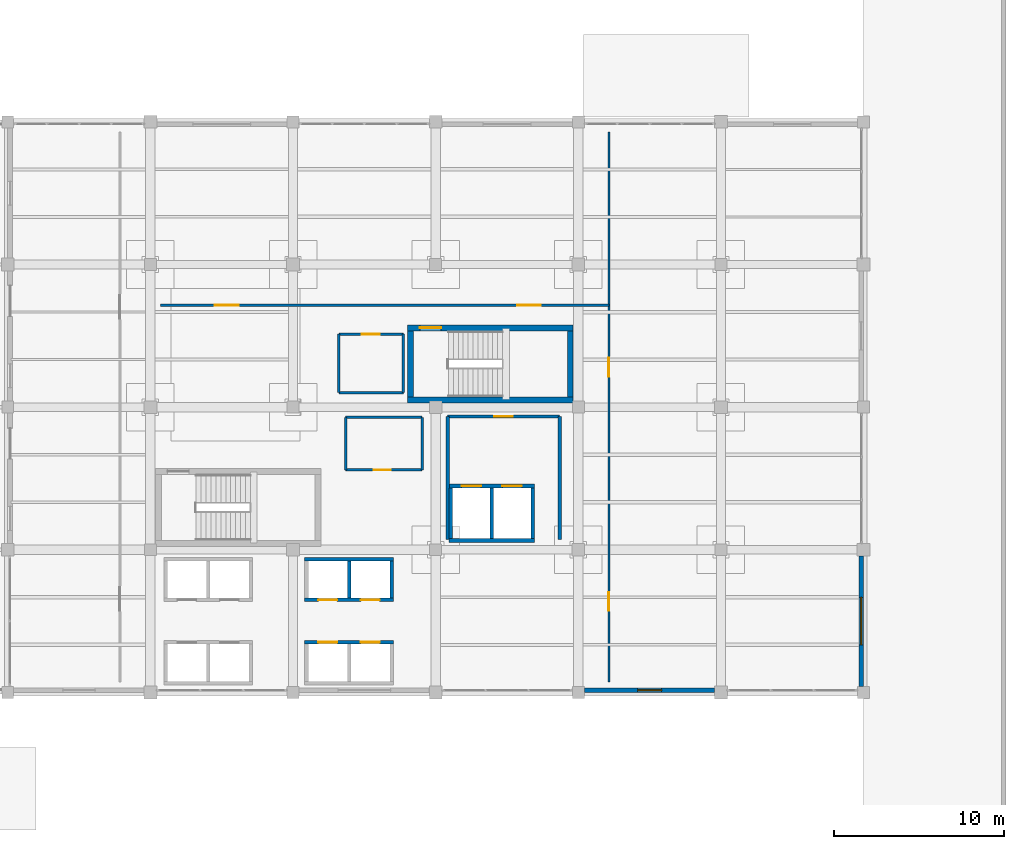
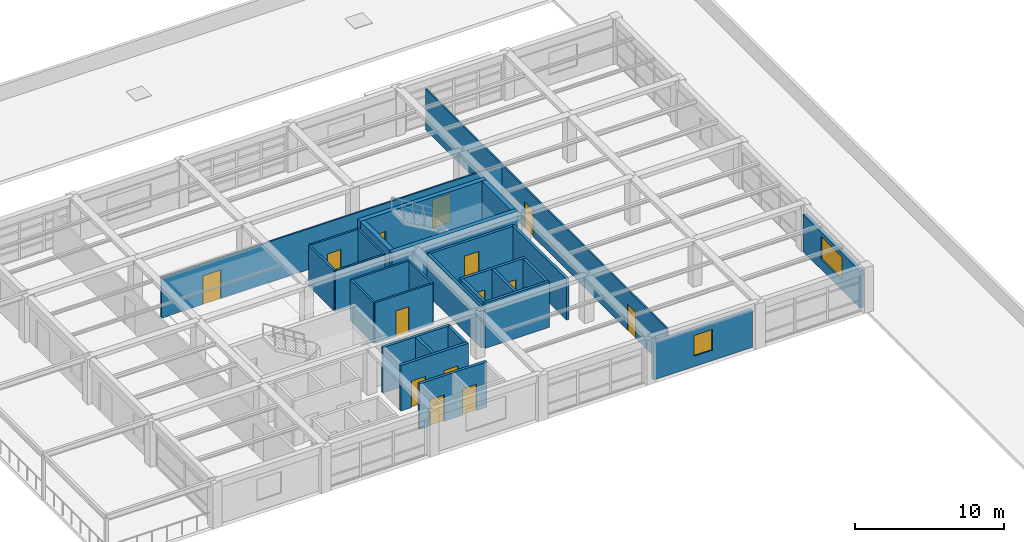
# One storey, part 33 of 35: 29 walls, 14 doors, 2 windows, 16 openings.
"""IFC4 building model written with IfcOpenShell, lengths in metres."""

from ifc_helpers import new_model, si_unit, direction, frame, frame_2d, origin, place, context, subcontext, project, spatial, rectangle, extrude, material, layer, layer_set, type_object, element, fill, save


model = new_model("IFC4")

# Units and contexts
model_context = context("Model", 3, precision=1e-05, world=origin(), true_north=direction((0.0, 1.0)))
body_context = subcontext(model_context, "Body", "Model", "MODEL_VIEW")
ifc_project = project(units=[si_unit("LENGTHUNIT", "METRE"), si_unit("AREAUNIT", "SQUARE_METRE"), si_unit("VOLUMEUNIT", "CUBIC_METRE"), si_unit("PLANEANGLEUNIT", "RADIAN"), si_unit("MASSUNIT", "GRAM", prefix="KILO")], contexts=[model_context])

# Site, building, storey
site_placement = place(None, origin())
site = spatial("IfcSite", under=ifc_project, at=site_placement, CompositionType="ELEMENT")
building_placement = place(site_placement, origin())
building = spatial("IfcBuilding", under=site, at=building_placement, Name="Almacenes y Pasaje Nevantli", CompositionType="ELEMENT")
storey_placement = place(building_placement, frame((0.0, 0.0, 26.699951171875)))
storey = spatial("IfcBuildingStorey", under=building, at=storey_placement, Name="L06", CompositionType="ELEMENT", Elevation=26.699951171875)

# Wall, opening, door
ifc_material_1 = material(Name="Fire-Rated Concrete Blockwork", Category="masonry")
ifc_layer_1 = layer(ifc_material_1, 0.199951171875)
ifc_layer_set_1 = layer_set([ifc_layer_1], Name="Fire-Rated Concrete Blockwork")
wall_type_1 = type_object("IfcWallType", Name="WL-COMP-200", PredefinedType="PARTITIONING", material=ifc_layer_set_1)
wall_1_placement = place(storey_placement, frame((135.10009765625, 83.449951171875, 0.0), z_axis=(0.0, 0.0, 1.0), x_axis=(1.0, 0.0, 0.0)))
wall_1 = element("IfcWall", 1, at=wall_1_placement, inside=storey, type_object=wall_type_1, Name="L06 Interior Partition Wall IW-200 #113", PredefinedType="PARTITIONING", context=body_context, shape_type="SweptSolid", body=[
    extrude(rectangle(XDim=6.599853515625, YDim=0.199951171875, at=frame_2d((3.2998046875, 0.0))), origin(), (0.0, 0.0, 1.0), 3.340087890625),
])
opening_1_placement = place(wall_1_placement, frame((2.75, 0.0, 0.0)))
opening_1 = element("IfcOpeningElement", 2, at=opening_1_placement, cuts=wall_1, Name="Opening ID-L06-061", PredefinedType="OPENING", context=body_context, shape_type="SweptSolid", body=[
    extrude(rectangle(XDim=1.10009765625, YDim=2.199951171875, at=frame_2d((0.550048828125, 1.10009765625))), frame((0.0, 0.10986328125, 0.0), z_axis=(0.0, -1.0, 0.0), x_axis=(1.0, 0.0, 0.0)), (0.0, 0.0, 1.0), 0.219970703125),
])
ifc_material_2 = material(Name="Galvanized Fire-Rated Steel", Category="steel")
door_type_1 = type_object("IfcDoorType", Name="DR-FD90-1100R", OperationType="SINGLE_SWING_RIGHT", PredefinedType="DOOR", material=ifc_material_2)
door_1_placement = place(opening_1_placement, origin())
door_1 = element("IfcDoor", 3, at=door_1_placement, inside=storey, type_object=door_type_1, Name="L06 Firefighting Lobby Door", OperationType="SINGLE_SWING_RIGHT", OverallHeight=2.199951171875, OverallWidth=1.10009765625, PredefinedType="DOOR", context=body_context, shape_type="SweptSolid", body=[
    extrude(rectangle(XDim=1.10009765625, YDim=2.199951171875, at=frame_2d((0.550048828125, 1.10009765625))), frame((0.0, 0.02490234375, 0.0), z_axis=(0.0, -1.0, 0.0), x_axis=(1.0, 0.0, 0.0)), (0.0, 0.0, 1.0), 0.050048828125),
])
fill(opening_1, door_1)

# Walls
for number, where, z_axis, x_axis, name in (
    (4, (135.10009765625, 76.199951171875, 0.0), (0.0, 0.0, 1.0), (0.0, 1.0, 0.0), "L06 Interior Partition Wall IW-200 #114"),
    (5, (141.699951171875, 76.199951171875, 0.0), (0.0, 0.0, 1.0), (0.0, 1.0, 0.0), "L06 Interior Partition Wall IW-200 #115"),
):
    element("IfcWall", number, at=place(storey_placement, frame(where, z_axis=z_axis, x_axis=x_axis)), inside=storey, type_object=wall_type_1, Name=name, PredefinedType="PARTITIONING", context=body_context, shape_type="SweptSolid", body=[
        extrude(rectangle(XDim=7.25, YDim=0.199951171875, at=frame_2d((3.625, 0.0))), origin(), (0.0, 0.0, 1.0), 3.340087890625),
    ])
ifc_material_3 = material(Name="Concrete C45/55", Category="concrete")
ifc_layer_2 = layer(ifc_material_3, 0.35009765625)
ifc_layer_set_2 = layer_set([ifc_layer_2], Name="Concrete C45/55")
wall_type_2 = type_object("IfcWallType", Name="WL-CORE-350", PredefinedType="SHEAR", material=ifc_layer_set_2)
wall_2_placement = place(storey_placement, frame((132.75, 84.425048828125, 0.0), z_axis=(0.0, 0.0, 1.0), x_axis=(1.0, 0.0, 0.0)))
element("IfcWall", 6, at=wall_2_placement, inside=storey, type_object=wall_type_2, Name="L06 Exit Stair ST-02 South Core Shear Wall", PredefinedType="SHEAR", context=body_context, shape_type="SweptSolid", body=[
    extrude(rectangle(XDim=9.75, YDim=0.35009765625, at=frame_2d((4.875, 0.0))), origin(), (0.0, 0.0, 1.0), 3.719970703125),
])

# Wall, opening, door
wall_3_placement = place(storey_placement, frame((132.75, 88.6650390625, 0.0), z_axis=(0.0, 0.0, 1.0), x_axis=(1.0, 0.0, 0.0)))
wall_3 = element("IfcWall", 7, at=wall_3_placement, inside=storey, type_object=wall_type_2, Name="L06 Exit Stair ST-02 North Core Shear Wall", PredefinedType="SHEAR", context=body_context, shape_type="SweptSolid", body=[
    extrude(rectangle(XDim=9.75, YDim=0.35009765625, at=frame_2d((4.875, 0.0))), origin(), (0.0, 0.0, 1.0), 3.719970703125),
])
opening_2_placement = place(wall_3_placement, frame((0.719970703125, 0.0, 0.0)))
opening_2 = element("IfcOpeningElement", 8, at=opening_2_placement, cuts=wall_3, Name="Opening SD-02-L06", PredefinedType="OPENING", context=body_context, shape_type="SweptSolid", body=[
    extrude(rectangle(XDim=1.25, YDim=2.199951171875, at=frame_2d((0.625, 1.10009765625))), frame((0.0, 0.18505859375, 0.0), z_axis=(0.0, -1.0, 0.0), x_axis=(1.0, 0.0, 0.0)), (0.0, 0.0, 1.0), 0.3701171875),
])
ifc_material_4 = material(Name="Galvanized Fire-Rated Steel", Category="steel")
door_type_2 = type_object("IfcDoorType", Name="DR-STAIR-1250R", OperationType="SINGLE_SWING_RIGHT", PredefinedType="DOOR", material=ifc_material_4)
door_2_placement = place(opening_2_placement, origin())
door_2 = element("IfcDoor", 9, at=door_2_placement, inside=storey, type_object=door_type_2, Name="L06 Smokeproof Exit Stair ST-02 Fire Door", OperationType="SINGLE_SWING_RIGHT", OverallHeight=2.199951171875, OverallWidth=1.25, PredefinedType="DOOR", context=body_context, shape_type="SweptSolid", body=[
    extrude(rectangle(XDim=1.25, YDim=2.199951171875, at=frame_2d((0.625, 1.10009765625))), frame((0.0, 0.02490234375, 0.0), z_axis=(0.0, -1.0, 0.0), x_axis=(1.0, 0.0, 0.0)), (0.0, 0.0, 1.0), 0.050048828125),
])
fill(opening_2, door_2)

# Walls
for number, where, z_axis, x_axis, name in (
    (10, (132.925048828125, 84.60009765625, 0.0), (0.0, 0.0, 1.0), (0.0, 1.0, 0.0), "L06 Exit Stair ST-02 West Core Shear Wall"),
    (11, (142.324951171875, 84.60009765625, 0.0), (0.0, 0.0, 1.0), (0.0, 1.0, 0.0), "L06 Exit Stair ST-02 East Core Shear Wall"),
):
    element("IfcWall", number, at=place(storey_placement, frame(where, z_axis=z_axis, x_axis=x_axis)), inside=storey, type_object=wall_type_2, Name=name, PredefinedType="SHEAR", context=body_context, shape_type="SweptSolid", body=[
        extrude(rectangle(XDim=3.889892578125, YDim=0.35009765625, at=frame_2d((1.94482421875, 0.0))), origin(), (0.0, 0.0, 1.0), 3.719970703125),
    ])

# Wall, opening, window
ifc_material_5 = material(Name="Cream Architectural Precast Concrete C35/45 Wall", Category="concrete")
ifc_layer_3 = layer(ifc_material_5, 0.260009765625)
ifc_layer_set_3 = layer_set([ifc_layer_3], Name="Cream Architectural Precast Concrete C35/45 Wall")
wall_type_3 = type_object("IfcWallType", Name="WL-EXT-PRECAST-260", PredefinedType="SOLIDWALL", material=ifc_layer_set_3)
wall_4_placement = place(storey_placement, frame((143.154052734375, 67.340087890625, 0.0), z_axis=(0.0, 0.0, 1.0), x_axis=(1.0, 0.0, 0.0)))
wall_4 = element("IfcWall", 12, at=wall_4_placement, inside=storey, type_object=wall_type_3, Name="L06 Tower South Precast Spandrel Wall Bay 18", PredefinedType="SOLIDWALL", context=body_context, shape_type="SweptSolid", body=[
    extrude(rectangle(XDim=7.66796875, YDim=0.260009765625, at=frame_2d((3.833984375, 0.0))), origin(), (0.0, 0.0, 1.0), 3.0400390625),
])
opening_3_placement = place(wall_4_placement, frame((3.14599609375, 0.0, 0.85009765625)))
opening_3 = element("IfcOpeningElement", 13, at=opening_3_placement, cuts=wall_4, Name="Opening WT-34-195", PredefinedType="OPENING", context=body_context, shape_type="SweptSolid", body=[
    extrude(rectangle(XDim=1.39990234375, YDim=1.699951171875, at=frame_2d((0.699951171875, 0.85009765625))), frame((0.0, 0.139892578125, 0.0), z_axis=(0.0, -1.0, 0.0), x_axis=(1.0, 0.0, 0.0)), (0.0, 0.0, 1.0), 0.280029296875),
])
ifc_material_6 = material(Name="Thermally Broken Aluminium and Low-E Double Glazing", Category="aluminium")
window_type_1 = type_object("IfcWindowType", Name="WN-TWR-1400x1700", PartitioningType="SINGLE_PANEL", PredefinedType="WINDOW", material=ifc_material_6)
window_1_placement = place(opening_3_placement, origin())
window_1 = element("IfcWindow", 14, at=window_1_placement, inside=storey, type_object=window_type_1, Name="L06 Exterior Window WT-34 #195", OverallHeight=1.699951171875, OverallWidth=1.39990234375, PartitioningType="SINGLE_PANEL", PredefinedType="WINDOW", context=body_context, shape_type="SweptSolid", body=[
    extrude(rectangle(XDim=1.39990234375, YDim=1.699951171875, at=frame_2d((0.699951171875, 0.85009765625))), frame((0.0, 0.030029296875, 0.0), z_axis=(0.0, -1.0, 0.0), x_axis=(1.0, 0.0, 0.0)), (0.0, 0.0, 1.0), 0.06005859375),
])
fill(opening_3, window_1)

wall_5_placement = place(storey_placement, frame((159.4599609375, 67.553955078125, 0.0), z_axis=(0.0, 0.0, 1.0), x_axis=(0.0, 1.0, 0.0)))
wall_5 = element("IfcWall", 15, at=wall_5_placement, inside=storey, type_object=wall_type_3, Name="L06 Tower East Precast Wall Bay 9", PredefinedType="SOLIDWALL", context=body_context, shape_type="SweptSolid", body=[
    extrude(rectangle(XDim=7.66796875, YDim=0.260009765625, at=frame_2d((3.833984375, 0.0))), origin(), (0.0, 0.0, 1.0), 3.0400390625),
])
opening_4_placement = place(wall_5_placement, frame((2.446044921875, 0.0, 0.85009765625)))
opening_4 = element("IfcOpeningElement", 16, at=opening_4_placement, cuts=wall_5, Name="Opening WT-29-197", PredefinedType="OPENING", context=body_context, shape_type="SweptSolid", body=[
    extrude(rectangle(XDim=2.800048828125, YDim=1.85009765625, at=frame_2d((1.39990234375, 0.925048828125))), frame((0.0, 0.139892578125, 0.0), z_axis=(0.0, -1.0, 0.0), x_axis=(1.0, 0.0, 0.0)), (0.0, 0.0, 1.0), 0.280029296875),
])
ifc_material_7 = material(Name="Thermally Broken Aluminium and Low-E Double Glazing", Category="aluminium")
window_type_2 = type_object("IfcWindowType", Name="WN-TWR-2800x1850", PartitioningType="SINGLE_PANEL", PredefinedType="WINDOW", material=ifc_material_7)
window_2_placement = place(opening_4_placement, origin())
window_2 = element("IfcWindow", 17, at=window_2_placement, inside=storey, type_object=window_type_2, Name="L06 Exterior Window WT-29 #197", OverallHeight=1.85009765625, OverallWidth=2.800048828125, PartitioningType="SINGLE_PANEL", PredefinedType="WINDOW", context=body_context, shape_type="SweptSolid", body=[
    extrude(rectangle(XDim=2.800048828125, YDim=1.85009765625, at=frame_2d((1.39990234375, 0.925048828125))), frame((0.0, 0.030029296875, 0.0), z_axis=(0.0, -1.0, 0.0), x_axis=(1.0, 0.0, 0.0)), (0.0, 0.0, 1.0), 0.06005859375),
])
fill(opening_4, window_2)

# Wall, openings, doors
ifc_material_8 = material(Name="Standard Steel-Stud Gypsum Partition", Category="steel")
ifc_layer_4 = layer(ifc_material_8, 0.1201171875)
ifc_layer_set_4 = layer_set([ifc_layer_4], Name="Standard Steel-Stud Gypsum Partition")
wall_type_4 = type_object("IfcWallType", Name="WL-PART-120", PredefinedType="PARTITIONING", material=ifc_layer_set_4)
wall_6_placement = place(storey_placement, frame((144.60009765625, 67.800048828125, 0.0), z_axis=(0.0, 0.0, 1.0), x_axis=(0.0, 1.0, 0.0)))
wall_6 = element("IfcWall", 18, at=wall_6_placement, inside=storey, type_object=wall_type_4, Name="L06 Interior Partition Wall IW-120 #125", PredefinedType="PARTITIONING", context=body_context, shape_type="SweptSolid", body=[
    extrude(rectangle(XDim=32.39990234375, YDim=0.1201171875, at=frame_2d((16.199951171875, 0.0))), origin(), (0.0, 0.0, 1.0), 3.340087890625),
])
opening_5_placement = place(wall_6_placement, frame((4.199951171875, 0.0, 0.0)))
opening_5 = element("IfcOpeningElement", 19, at=opening_5_placement, cuts=wall_6, Name="Opening ID-L06-066", PredefinedType="OPENING", context=body_context, shape_type="SweptSolid", body=[
    extrude(rectangle(XDim=1.10009765625, YDim=2.14990234375, at=frame_2d((0.550048828125, 1.074951171875))), frame((0.0, 0.070068359375, 0.0), z_axis=(0.0, -1.0, 0.0), x_axis=(1.0, 0.0, 0.0)), (0.0, 0.0, 1.0), 0.14013671875),
])
opening_6_placement = place(wall_6_placement, frame((18.0, 0.0, 0.0)))
opening_6 = element("IfcOpeningElement", 20, at=opening_6_placement, cuts=wall_6, Name="Opening ID-L06-067", PredefinedType="OPENING", context=body_context, shape_type="SweptSolid", body=[
    extrude(rectangle(XDim=1.10009765625, YDim=2.14990234375, at=frame_2d((0.550048828125, 1.074951171875))), frame((0.0, 0.070068359375, 0.0), z_axis=(0.0, -1.0, 0.0), x_axis=(1.0, 0.0, 0.0)), (0.0, 0.0, 1.0), 0.14013671875),
])
ifc_material_9 = material(Name="Powder-Coated Hollow Metal", Category="steel")
door_type_3 = type_object("IfcDoorType", Name="DR-INT-1100", OperationType="SINGLE_SWING_LEFT", PredefinedType="DOOR", material=ifc_material_9)
door_3_placement = place(opening_5_placement, origin())
door_3 = element("IfcDoor", 21, at=door_3_placement, inside=storey, type_object=door_type_3, Name="L06 L06 East Studio South Door", OperationType="SINGLE_SWING_LEFT", OverallHeight=2.14990234375, OverallWidth=1.10009765625, PredefinedType="DOOR", context=body_context, shape_type="SweptSolid", body=[
    extrude(rectangle(XDim=1.10009765625, YDim=2.14990234375, at=frame_2d((0.550048828125, 1.074951171875))), frame((0.0, 0.02490234375, 0.0), z_axis=(0.0, -1.0, 0.0), x_axis=(1.0, 0.0, 0.0)), (0.0, 0.0, 1.0), 0.050048828125),
])
fill(opening_5, door_3)
ifc_material_10 = material(Name="Powder-Coated Hollow Metal", Category="steel")
door_type_4 = type_object("IfcDoorType", Name="DR-INT-1100R", OperationType="SINGLE_SWING_RIGHT", PredefinedType="DOOR", material=ifc_material_10)
door_4_placement = place(opening_6_placement, origin())
door_4 = element("IfcDoor", 22, at=door_4_placement, inside=storey, type_object=door_type_4, Name="L06 L06 East Studio North Door", OperationType="SINGLE_SWING_RIGHT", OverallHeight=2.14990234375, OverallWidth=1.10009765625, PredefinedType="DOOR", context=body_context, shape_type="SweptSolid", body=[
    extrude(rectangle(XDim=1.10009765625, YDim=2.14990234375, at=frame_2d((0.550048828125, 1.074951171875))), frame((0.0, 0.02490234375, 0.0), z_axis=(0.0, -1.0, 0.0), x_axis=(1.0, 0.0, 0.0)), (0.0, 0.0, 1.0), 0.050048828125),
])
fill(opening_6, door_4)

wall_7_placement = place(storey_placement, frame((118.199951171875, 90.0, 0.0), z_axis=(0.0, 0.0, 1.0), x_axis=(1.0, 0.0, 0.0)))
wall_7 = element("IfcWall", 23, at=wall_7_placement, inside=storey, type_object=wall_type_4, Name="L06 Interior Partition Wall IW-120 #126", PredefinedType="PARTITIONING", context=body_context, shape_type="SweptSolid", body=[
    extrude(rectangle(XDim=26.400146484375, YDim=0.1201171875, at=frame_2d((13.2001953125, 0.0))), origin(), (0.0, 0.0, 1.0), 3.340087890625),
])
opening_7_placement = place(wall_7_placement, frame((3.199951171875, 0.0, 0.0)))
opening_7 = element("IfcOpeningElement", 24, at=opening_7_placement, cuts=wall_7, Name="Opening ID-L06-068", PredefinedType="OPENING", context=body_context, shape_type="SweptSolid", body=[
    extrude(rectangle(XDim=1.39990234375, YDim=2.35009765625, at=frame_2d((0.699951171875, 1.175048828125))), frame((0.0, 0.070068359375, 0.0), z_axis=(0.0, -1.0, 0.0), x_axis=(1.0, 0.0, 0.0)), (0.0, 0.0, 1.0), 0.14013671875),
])
opening_8_placement = place(wall_7_placement, frame((21.0, 0.0, 0.0)))
opening_8 = element("IfcOpeningElement", 25, at=opening_8_placement, cuts=wall_7, Name="Opening ID-L06-069", PredefinedType="OPENING", context=body_context, shape_type="SweptSolid", body=[
    extrude(rectangle(XDim=1.39990234375, YDim=2.35009765625, at=frame_2d((0.699951171875, 1.175048828125))), frame((0.0, 0.070068359375, 0.0), z_axis=(0.0, -1.0, 0.0), x_axis=(1.0, 0.0, 0.0)), (0.0, 0.0, 1.0), 0.14013671875),
])
ifc_material_11 = material(Name="Framed Tempered Safety Glass", Category="glass")
door_type_5 = type_object("IfcDoorType", Name="DR-GLZ-1400", OperationType="DOUBLE_DOOR_SINGLE_SWING", PredefinedType="DOOR", material=ifc_material_11)
door_5_placement = place(opening_7_placement, origin())
door_5 = element("IfcDoor", 26, at=door_5_placement, inside=storey, type_object=door_type_5, Name="L06 L06 North Open Plan West Door", OperationType="DOUBLE_DOOR_SINGLE_SWING", OverallHeight=2.35009765625, OverallWidth=1.39990234375, PredefinedType="DOOR", context=body_context, shape_type="SweptSolid", body=[
    extrude(rectangle(XDim=1.39990234375, YDim=2.35009765625, at=frame_2d((0.699951171875, 1.175048828125))), frame((0.0, 0.02490234375, 0.0), z_axis=(0.0, -1.0, 0.0), x_axis=(1.0, 0.0, 0.0)), (0.0, 0.0, 1.0), 0.050048828125),
])
fill(opening_7, door_5)
door_6_placement = place(opening_8_placement, origin())
door_6 = element("IfcDoor", 27, at=door_6_placement, inside=storey, type_object=door_type_5, Name="L06 L06 North Open Plan East Door", OperationType="DOUBLE_DOOR_SINGLE_SWING", OverallHeight=2.35009765625, OverallWidth=1.39990234375, PredefinedType="DOOR", context=body_context, shape_type="SweptSolid", body=[
    extrude(rectangle(XDim=1.39990234375, YDim=2.35009765625, at=frame_2d((0.699951171875, 1.175048828125))), frame((0.0, 0.02490234375, 0.0), z_axis=(0.0, -1.0, 0.0), x_axis=(1.0, 0.0, 0.0)), (0.0, 0.0, 1.0), 0.050048828125),
])
fill(opening_8, door_6)

# Wall, opening, door
ifc_material_12 = material(Name="Acoustic Steel-Stud Gypsum Partition", Category="steel")
ifc_layer_5 = layer(ifc_material_12, 0.14990234375)
ifc_layer_set_5 = layer_set([ifc_layer_5], Name="Acoustic Steel-Stud Gypsum Partition")
wall_type_5 = type_object("IfcWallType", Name="WL-PART-150", PredefinedType="PARTITIONING", material=ifc_layer_set_5)
wall_8_placement = place(storey_placement, frame((129.10009765625, 80.300048828125, 0.0), z_axis=(0.0, 0.0, 1.0), x_axis=(1.0, 0.0, 0.0)))
wall_8 = element("IfcWall", 28, at=wall_8_placement, inside=storey, type_object=wall_type_5, Name="L06 Interior Partition Wall IW-150 #116", PredefinedType="PARTITIONING", context=body_context, shape_type="SweptSolid", body=[
    extrude(rectangle(XDim=4.5, YDim=0.14990234375, at=frame_2d((2.25, 0.0))), origin(), (0.0, 0.0, 1.0), 3.340087890625),
])
opening_9_placement = place(wall_8_placement, frame((1.64990234375, 0.0, 0.0)))
opening_9 = element("IfcOpeningElement", 29, at=opening_9_placement, cuts=wall_8, Name="Opening ID-L06-062", PredefinedType="OPENING", context=body_context, shape_type="SweptSolid", body=[
    extrude(rectangle(XDim=1.0, YDim=2.10009765625, at=frame_2d((0.5, 1.050048828125))), frame((0.0, 0.0849609375, 0.0), z_axis=(0.0, -1.0, 0.0), x_axis=(1.0, 0.0, 0.0)), (0.0, 0.0, 1.0), 0.169921875),
])
ifc_material_13 = material(Name="Powder-Coated Hollow Metal", Category="steel")
door_type_6 = type_object("IfcDoorType", Name="DR-INT-1000", OperationType="SINGLE_SWING_LEFT", PredefinedType="DOOR", material=ifc_material_13)
door_7_placement = place(opening_9_placement, origin())
door_7 = element("IfcDoor", 30, at=door_7_placement, inside=storey, type_object=door_type_6, Name="L06 Staff and Public WC Door", OperationType="SINGLE_SWING_LEFT", OverallHeight=2.10009765625, OverallWidth=1.0, PredefinedType="DOOR", context=body_context, shape_type="SweptSolid", body=[
    extrude(rectangle(XDim=1.0, YDim=2.10009765625, at=frame_2d((0.5, 1.050048828125))), frame((0.0, 0.02490234375, 0.0), z_axis=(0.0, -1.0, 0.0), x_axis=(1.0, 0.0, 0.0)), (0.0, 0.0, 1.0), 0.050048828125),
])
fill(opening_9, door_7)

# Walls
wall_9_placement = place(storey_placement, frame((129.10009765625, 83.39990234375, 0.0), z_axis=(0.0, 0.0, 1.0), x_axis=(1.0, 0.0, 0.0)))
element("IfcWall", 31, at=wall_9_placement, inside=storey, type_object=wall_type_5, Name="L06 Interior Partition Wall IW-150 #117", PredefinedType="PARTITIONING", context=body_context, shape_type="SweptSolid", body=[
    extrude(rectangle(XDim=4.5, YDim=0.14990234375, at=frame_2d((2.25, 0.0))), origin(), (0.0, 0.0, 1.0), 3.340087890625),
])
for number, where, z_axis, x_axis, name in (
    (32, (129.10009765625, 80.300048828125, 0.0), (0.0, 0.0, 1.0), (0.0, 1.0, 0.0), "L06 Interior Partition Wall IW-150 #118"),
    (33, (133.60009765625, 80.300048828125, 0.0), (0.0, 0.0, 1.0), (0.0, 1.0, 0.0), "L06 Interior Partition Wall IW-150 #119"),
):
    element("IfcWall", number, at=place(storey_placement, frame(where, z_axis=z_axis, x_axis=x_axis)), inside=storey, type_object=wall_type_5, Name=name, PredefinedType="PARTITIONING", context=body_context, shape_type="SweptSolid", body=[
        extrude(rectangle(XDim=3.099853515625, YDim=0.14990234375, at=frame_2d((1.5498046875, 0.0))), origin(), (0.0, 0.0, 1.0), 3.340087890625),
    ])

# Wall, opening, door
wall_10_placement = place(storey_placement, frame((128.699951171875, 88.300048828125, 0.0), z_axis=(0.0, 0.0, 1.0), x_axis=(1.0, 0.0, 0.0)))
wall_10 = element("IfcWall", 34, at=wall_10_placement, inside=storey, type_object=wall_type_5, Name="L06 Interior Partition Wall IW-150 #120", PredefinedType="PARTITIONING", context=body_context, shape_type="SweptSolid", body=[
    extrude(rectangle(XDim=3.800048828125, YDim=0.14990234375, at=frame_2d((1.89990234375, 0.0))), origin(), (0.0, 0.0, 1.0), 3.340087890625),
])
opening_10_placement = place(wall_10_placement, frame((1.35009765625, 0.0, 0.0)))
opening_10 = element("IfcOpeningElement", 35, at=opening_10_placement, cuts=wall_10, Name="Opening ID-L06-063", PredefinedType="OPENING", context=body_context, shape_type="SweptSolid", body=[
    extrude(rectangle(XDim=1.050048828125, YDim=2.14990234375, at=frame_2d((0.52490234375, 1.074951171875))), frame((0.0, 0.0849609375, 0.0), z_axis=(0.0, -1.0, 0.0), x_axis=(1.0, 0.0, 0.0)), (0.0, 0.0, 1.0), 0.169921875),
])
ifc_material_14 = material(Name="Powder-Coated Hollow Metal", Category="steel")
door_type_7 = type_object("IfcDoorType", Name="DR-ACC-1050", OperationType="SINGLE_SWING_RIGHT", PredefinedType="DOOR", material=ifc_material_14)
door_8_placement = place(opening_10_placement, origin())
door_8 = element("IfcDoor", 36, at=door_8_placement, inside=storey, type_object=door_type_7, Name="L06 Accessible WC Door", OperationType="SINGLE_SWING_RIGHT", OverallHeight=2.14990234375, OverallWidth=1.050048828125, PredefinedType="DOOR", context=body_context, shape_type="SweptSolid", body=[
    extrude(rectangle(XDim=1.050048828125, YDim=2.14990234375, at=frame_2d((0.52490234375, 1.074951171875))), frame((0.0, 0.02490234375, 0.0), z_axis=(0.0, -1.0, 0.0), x_axis=(1.0, 0.0, 0.0)), (0.0, 0.0, 1.0), 0.050048828125),
])
fill(opening_10, door_8)

# Walls
wall_11_placement = place(storey_placement, frame((128.699951171875, 84.85009765625, 0.0), z_axis=(0.0, 0.0, 1.0), x_axis=(1.0, 0.0, 0.0)))
element("IfcWall", 37, at=wall_11_placement, inside=storey, type_object=wall_type_5, Name="L06 Interior Partition Wall IW-150 #121", PredefinedType="PARTITIONING", context=body_context, shape_type="SweptSolid", body=[
    extrude(rectangle(XDim=3.800048828125, YDim=0.14990234375, at=frame_2d((1.89990234375, 0.0))), origin(), (0.0, 0.0, 1.0), 3.340087890625),
])
for number, where, z_axis, x_axis, name in (
    (38, (128.699951171875, 84.85009765625, 0.0), (0.0, 0.0, 1.0), (0.0, 1.0, 0.0), "L06 Interior Partition Wall IW-150 #122"),
    (39, (132.5, 84.85009765625, 0.0), (0.0, 0.0, 1.0), (0.0, 1.0, 0.0), "L06 Interior Partition Wall IW-150 #123"),
):
    element("IfcWall", number, at=place(storey_placement, frame(where, z_axis=z_axis, x_axis=x_axis)), inside=storey, type_object=wall_type_5, Name=name, PredefinedType="PARTITIONING", context=body_context, shape_type="SweptSolid", body=[
        extrude(rectangle(XDim=3.449951171875, YDim=0.14990234375, at=frame_2d((1.72509765625, 0.0))), origin(), (0.0, 0.0, 1.0), 3.340087890625),
    ])

# Wall, openings, doors
ifc_material_15 = material(Name="Concrete C45/55", Category="concrete")
ifc_layer_6 = layer(ifc_material_15, 0.2099609375)
ifc_layer_set_6 = layer_set([ifc_layer_6], Name="Concrete C45/55")
wall_type_6 = type_object("IfcWallType", Name="WL-SHAFT-210", PredefinedType="SHEAR", material=ifc_layer_set_6)
wall_12_placement = place(storey_placement, frame((126.68994140625, 70.155029296875, 0.0), z_axis=(0.0, 0.0, 1.0), x_axis=(1.0, 0.0, 0.0)))
wall_12 = element("IfcWall", 40, at=wall_12_placement, inside=storey, type_object=wall_type_6, Name="L06 Lift Hoistway ELV-P01-ELV-P02 North Wall", PredefinedType="SHEAR", context=body_context, shape_type="SweptSolid", body=[
    extrude(rectangle(XDim=5.219970703125, YDim=0.2099609375, at=frame_2d((2.60986328125, 0.0))), origin(), (0.0, 0.0, 1.0), 3.719970703125),
])
opening_11_placement = place(wall_12_placement, frame((0.81005859375, 0.0, 0.0)))
opening_11 = element("IfcOpeningElement", 41, at=opening_11_placement, cuts=wall_12, Name="Opening LD-P01-L06", PredefinedType="OPENING", context=body_context, shape_type="SweptSolid", body=[
    extrude(rectangle(XDim=1.10009765625, YDim=2.14990234375, at=frame_2d((0.550048828125, 1.074951171875))), frame((0.0, 0.114990234375, 0.0), z_axis=(0.0, -1.0, 0.0), x_axis=(1.0, 0.0, 0.0)), (0.0, 0.0, 1.0), 0.22998046875),
])
opening_12_placement = place(wall_12_placement, frame((3.31005859375, 0.0, 0.0)))
opening_12 = element("IfcOpeningElement", 42, at=opening_12_placement, cuts=wall_12, Name="Opening LD-P02-L06", PredefinedType="OPENING", context=body_context, shape_type="SweptSolid", body=[
    extrude(rectangle(XDim=1.10009765625, YDim=2.14990234375, at=frame_2d((0.550048828125, 1.074951171875))), frame((0.0, 0.114990234375, 0.0), z_axis=(0.0, -1.0, 0.0), x_axis=(1.0, 0.0, 0.0)), (0.0, 0.0, 1.0), 0.22998046875),
])
ifc_material_16 = material(Name="Brushed Stainless Steel", Category="steel")
door_type_8 = type_object("IfcDoorType", Name="DR-LD-PASS-1100", OperationType="DOUBLE_DOOR_SLIDING", PredefinedType="DOOR", material=ifc_material_16)
door_9_placement = place(opening_11_placement, origin())
door_9 = element("IfcDoor", 43, at=door_9_placement, inside=storey, type_object=door_type_8, Name="Lift Landing Door ELV-P01 L06", OperationType="DOUBLE_DOOR_SLIDING", OverallHeight=2.14990234375, OverallWidth=1.10009765625, PredefinedType="DOOR", context=body_context, shape_type="SweptSolid", body=[
    extrude(rectangle(XDim=1.10009765625, YDim=2.14990234375, at=frame_2d((0.550048828125, 1.074951171875))), frame((0.0, 0.02490234375, 0.0), z_axis=(0.0, -1.0, 0.0), x_axis=(1.0, 0.0, 0.0)), (0.0, 0.0, 1.0), 0.050048828125),
])
fill(opening_11, door_9)
door_10_placement = place(opening_12_placement, origin())
door_10 = element("IfcDoor", 44, at=door_10_placement, inside=storey, type_object=door_type_8, Name="Lift Landing Door ELV-P02 L06", OperationType="DOUBLE_DOOR_SLIDING", OverallHeight=2.14990234375, OverallWidth=1.10009765625, PredefinedType="DOOR", context=body_context, shape_type="SweptSolid", body=[
    extrude(rectangle(XDim=1.10009765625, YDim=2.14990234375, at=frame_2d((0.550048828125, 1.074951171875))), frame((0.0, 0.02490234375, 0.0), z_axis=(0.0, -1.0, 0.0), x_axis=(1.0, 0.0, 0.0)), (0.0, 0.0, 1.0), 0.050048828125),
])
fill(opening_12, door_10)

wall_13_placement = place(storey_placement, frame((126.68994140625, 72.64501953125, 0.0), z_axis=(0.0, 0.0, 1.0), x_axis=(1.0, 0.0, 0.0)))
wall_13 = element("IfcWall", 45, at=wall_13_placement, inside=storey, type_object=wall_type_6, Name="L06 Lift Hoistway ELV-P03-ELV-P04 South Wall", PredefinedType="SHEAR", context=body_context, shape_type="SweptSolid", body=[
    extrude(rectangle(XDim=5.219970703125, YDim=0.2099609375, at=frame_2d((2.60986328125, 0.0))), origin(), (0.0, 0.0, 1.0), 3.719970703125),
])
opening_13_placement = place(wall_13_placement, frame((0.81005859375, 0.0, 0.0)))
opening_13 = element("IfcOpeningElement", 46, at=opening_13_placement, cuts=wall_13, Name="Opening LD-P03-L06", PredefinedType="OPENING", context=body_context, shape_type="SweptSolid", body=[
    extrude(rectangle(XDim=1.10009765625, YDim=2.14990234375, at=frame_2d((0.550048828125, 1.074951171875))), frame((0.0, 0.114990234375, 0.0), z_axis=(0.0, -1.0, 0.0), x_axis=(1.0, 0.0, 0.0)), (0.0, 0.0, 1.0), 0.22998046875),
])
opening_14_placement = place(wall_13_placement, frame((3.31005859375, 0.0, 0.0)))
opening_14 = element("IfcOpeningElement", 47, at=opening_14_placement, cuts=wall_13, Name="Opening LD-P04-L06", PredefinedType="OPENING", context=body_context, shape_type="SweptSolid", body=[
    extrude(rectangle(XDim=1.10009765625, YDim=2.14990234375, at=frame_2d((0.550048828125, 1.074951171875))), frame((0.0, 0.114990234375, 0.0), z_axis=(0.0, -1.0, 0.0), x_axis=(1.0, 0.0, 0.0)), (0.0, 0.0, 1.0), 0.22998046875),
])
door_11_placement = place(opening_13_placement, origin())
door_11 = element("IfcDoor", 48, at=door_11_placement, inside=storey, type_object=door_type_8, Name="Lift Landing Door ELV-P03 L06", OperationType="DOUBLE_DOOR_SLIDING", OverallHeight=2.14990234375, OverallWidth=1.10009765625, PredefinedType="DOOR", context=body_context, shape_type="SweptSolid", body=[
    extrude(rectangle(XDim=1.10009765625, YDim=2.14990234375, at=frame_2d((0.550048828125, 1.074951171875))), frame((0.0, 0.02490234375, 0.0), z_axis=(0.0, -1.0, 0.0), x_axis=(1.0, 0.0, 0.0)), (0.0, 0.0, 1.0), 0.050048828125),
])
fill(opening_13, door_11)
door_12_placement = place(opening_14_placement, origin())
door_12 = element("IfcDoor", 49, at=door_12_placement, inside=storey, type_object=door_type_8, Name="Lift Landing Door ELV-P04 L06", OperationType="DOUBLE_DOOR_SLIDING", OverallHeight=2.14990234375, OverallWidth=1.10009765625, PredefinedType="DOOR", context=body_context, shape_type="SweptSolid", body=[
    extrude(rectangle(XDim=1.10009765625, YDim=2.14990234375, at=frame_2d((0.550048828125, 1.074951171875))), frame((0.0, 0.02490234375, 0.0), z_axis=(0.0, -1.0, 0.0), x_axis=(1.0, 0.0, 0.0)), (0.0, 0.0, 1.0), 0.050048828125),
])
fill(opening_14, door_12)

# Walls
wall_14_placement = place(storey_placement, frame((126.68994140625, 75.054931640625, 0.0), z_axis=(0.0, 0.0, 1.0), x_axis=(1.0, 0.0, 0.0)))
element("IfcWall", 50, at=wall_14_placement, inside=storey, type_object=wall_type_6, Name="L06 Lift Hoistway ELV-P03-ELV-P04 North Wall", PredefinedType="SHEAR", context=body_context, shape_type="SweptSolid", body=[
    extrude(rectangle(XDim=5.219970703125, YDim=0.2099609375, at=frame_2d((2.60986328125, 0.0))), origin(), (0.0, 0.0, 1.0), 3.719970703125),
])
for number, where, z_axis, x_axis, name in (
    (51, (131.804931640625, 72.75, 0.0), (0.0, 0.0, 1.0), (0.0, 1.0, 0.0), "L06 Lift Hoistway ELV-P04 East Wall"),
    (52, (129.300048828125, 72.75, 0.0), (0.0, 0.0, 1.0), (0.0, 1.0, 0.0), "L06 Lift Hoistway Divider Wall ELV-P03/ELV-P04"),
):
    element("IfcWall", number, at=place(storey_placement, frame(where, z_axis=z_axis, x_axis=x_axis)), inside=storey, type_object=wall_type_6, Name=name, PredefinedType="SHEAR", context=body_context, shape_type="SweptSolid", body=[
        extrude(rectangle(XDim=2.199951171875, YDim=0.2099609375, at=frame_2d((1.10009765625, 0.0))), origin(), (0.0, 0.0, 1.0), 3.719970703125),
    ])
wall_15_placement = place(storey_placement, frame((135.18994140625, 76.14501953125, 0.0), z_axis=(0.0, 0.0, 1.0), x_axis=(1.0, 0.0, 0.0)))
element("IfcWall", 53, at=wall_15_placement, inside=storey, type_object=wall_type_6, Name="L06 Lift Hoistway ELV-FF1-ELV-FF2 South Wall", PredefinedType="SHEAR", context=body_context, shape_type="SweptSolid", body=[
    extrude(rectangle(XDim=5.02001953125, YDim=0.2099609375, at=frame_2d((2.510009765625, 0.0))), origin(), (0.0, 0.0, 1.0), 3.719970703125),
])

# Wall, openings, doors
wall_16_placement = place(storey_placement, frame((135.18994140625, 79.35498046875, 0.0), z_axis=(0.0, 0.0, 1.0), x_axis=(1.0, 0.0, 0.0)))
wall_16 = element("IfcWall", 54, at=wall_16_placement, inside=storey, type_object=wall_type_6, Name="L06 Lift Hoistway ELV-FF1-ELV-FF2 North Wall", PredefinedType="SHEAR", context=body_context, shape_type="SweptSolid", body=[
    extrude(rectangle(XDim=5.02001953125, YDim=0.2099609375, at=frame_2d((2.510009765625, 0.0))), origin(), (0.0, 0.0, 1.0), 3.719970703125),
])
opening_15_placement = place(wall_16_placement, frame((0.735107421875, 0.0, 0.0)))
opening_15 = element("IfcOpeningElement", 55, at=opening_15_placement, cuts=wall_16, Name="Opening LD-FF1-L06", PredefinedType="OPENING", context=body_context, shape_type="SweptSolid", body=[
    extrude(rectangle(XDim=1.14990234375, YDim=2.199951171875, at=frame_2d((0.574951171875, 1.10009765625))), frame((0.0, 0.114990234375, 0.0), z_axis=(0.0, -1.0, 0.0), x_axis=(1.0, 0.0, 0.0)), (0.0, 0.0, 1.0), 0.22998046875),
])
opening_16_placement = place(wall_16_placement, frame((3.135009765625, 0.0, 0.0)))
opening_16 = element("IfcOpeningElement", 56, at=opening_16_placement, cuts=wall_16, Name="Opening LD-FF2-L06", PredefinedType="OPENING", context=body_context, shape_type="SweptSolid", body=[
    extrude(rectangle(XDim=1.14990234375, YDim=2.199951171875, at=frame_2d((0.574951171875, 1.10009765625))), frame((0.0, 0.114990234375, 0.0), z_axis=(0.0, -1.0, 0.0), x_axis=(1.0, 0.0, 0.0)), (0.0, 0.0, 1.0), 0.22998046875),
])
ifc_material_17 = material(Name="Fire-Rated Stainless Steel", Category="steel")
door_type_9 = type_object("IfcDoorType", Name="DR-LD-FF-1150", OperationType="DOUBLE_DOOR_SLIDING", PredefinedType="DOOR", material=ifc_material_17)
door_13_placement = place(opening_15_placement, origin())
door_13 = element("IfcDoor", 57, at=door_13_placement, inside=storey, type_object=door_type_9, Name="Lift Landing Door ELV-FF1 L06", OperationType="DOUBLE_DOOR_SLIDING", OverallHeight=2.199951171875, OverallWidth=1.14990234375, PredefinedType="DOOR", context=body_context, shape_type="SweptSolid", body=[
    extrude(rectangle(XDim=1.14990234375, YDim=2.199951171875, at=frame_2d((0.574951171875, 1.10009765625))), frame((0.0, 0.02490234375, 0.0), z_axis=(0.0, -1.0, 0.0), x_axis=(1.0, 0.0, 0.0)), (0.0, 0.0, 1.0), 0.050048828125),
])
fill(opening_15, door_13)
door_14_placement = place(opening_16_placement, origin())
door_14 = element("IfcDoor", 58, at=door_14_placement, inside=storey, type_object=door_type_9, Name="Lift Landing Door ELV-FF2 L06", OperationType="DOUBLE_DOOR_SLIDING", OverallHeight=2.199951171875, OverallWidth=1.14990234375, PredefinedType="DOOR", context=body_context, shape_type="SweptSolid", body=[
    extrude(rectangle(XDim=1.14990234375, YDim=2.199951171875, at=frame_2d((0.574951171875, 1.10009765625))), frame((0.0, 0.02490234375, 0.0), z_axis=(0.0, -1.0, 0.0), x_axis=(1.0, 0.0, 0.0)), (0.0, 0.0, 1.0), 0.050048828125),
])
fill(opening_16, door_14)

# Walls
for number, where, z_axis, x_axis, name in (
    (59, (135.294921875, 76.25, 0.0), (0.0, 0.0, 1.0), (0.0, 1.0, 0.0), "L06 Lift Hoistway ELV-FF1 West Wall"),
    (60, (140.10498046875, 76.25, 0.0), (0.0, 0.0, 1.0), (0.0, 1.0, 0.0), "L06 Lift Hoistway ELV-FF2 East Wall"),
    (61, (137.699951171875, 76.25, 0.0), (0.0, 0.0, 1.0), (0.0, 1.0, 0.0), "L06 Lift Hoistway Divider Wall ELV-FF1/ELV-FF2"),
):
    element("IfcWall", number, at=place(storey_placement, frame(where, z_axis=z_axis, x_axis=x_axis)), inside=storey, type_object=wall_type_6, Name=name, PredefinedType="SHEAR", context=body_context, shape_type="SweptSolid", body=[
        extrude(rectangle(XDim=3.0, YDim=0.2099609375, at=frame_2d((1.5, 0.0))), origin(), (0.0, 0.0, 1.0), 3.719970703125),
    ])

save(model, "model.ifc")
